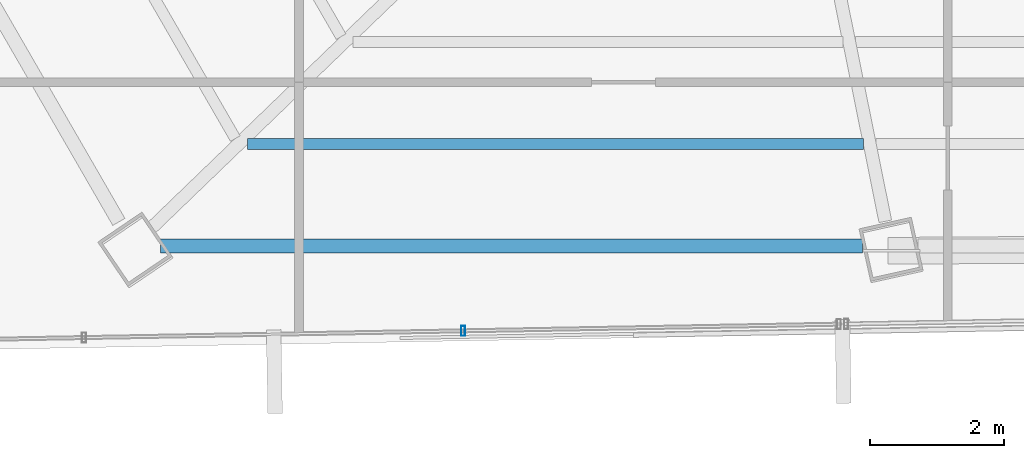
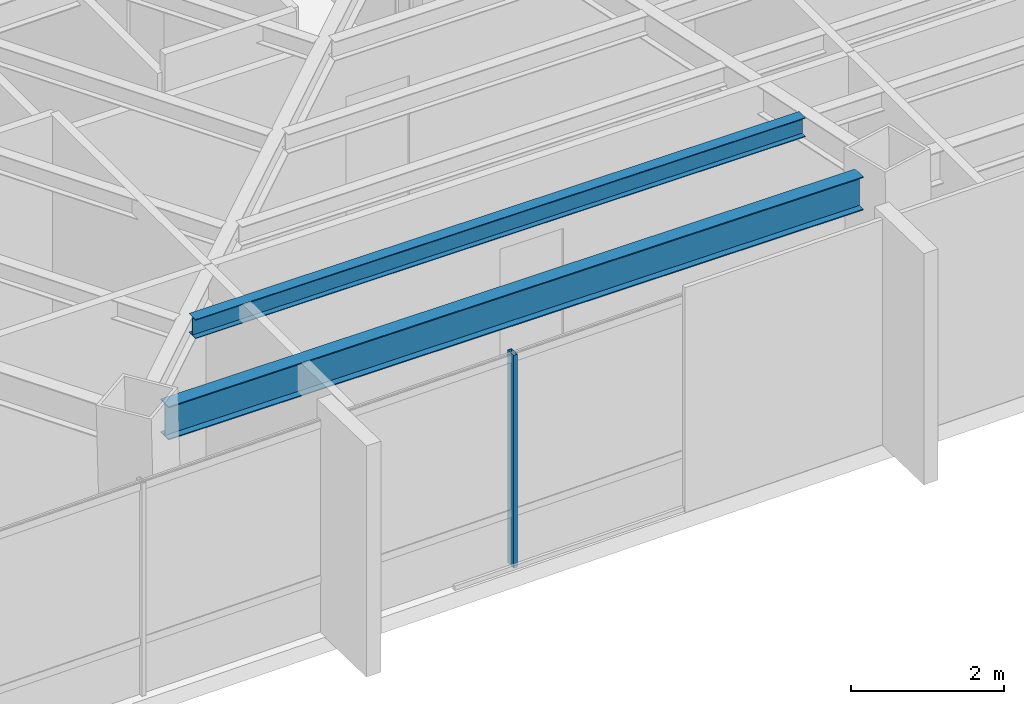
# One storey, part 6 of 44: 2 beams, 1 member, 1 element without a shape of its own.
"""IFC4 building model written with IfcOpenShell, lengths in metres."""

from ifc_helpers import new_model, si_unit, direction, frame, origin, origin_2d, place, context, subcontext, project, spatial, hollow_rectangle, i_section, extrude, source, transform, mapped, material, material_profile, profile_set, type_object, type_shapes, element, aggregate, save


model = new_model("IFC4")

# Units and contexts
model_context = context("Model", 3, precision=1e-05, world=origin(), true_north=direction((0.0, 1.0)))
body_context = subcontext(model_context, "Body", "Model", "MODEL_VIEW")
ifc_project = project(units=[si_unit("LENGTHUNIT", "METRE"), si_unit("AREAUNIT", "SQUARE_METRE"), si_unit("VOLUMEUNIT", "CUBIC_METRE"), si_unit("PLANEANGLEUNIT", "RADIAN"), si_unit("MASSUNIT", "GRAM", prefix="KILO")], contexts=[model_context])

# Site, building, storey
site_placement = place(None, origin())
site = spatial("IfcSite", under=ifc_project, at=site_placement, CompositionType="ELEMENT")
building_placement = place(site_placement, origin())
building = spatial("IfcBuilding", under=site, at=building_placement, Name="Caelisora Broadcast Tower", CompositionType="ELEMENT")
storey_placement = place(building_placement, frame((0.0, 0.0, 198.64990234375)))
storey = spatial("IfcBuildingStorey", under=building, at=storey_placement, Name="L52", CompositionType="ELEMENT", Elevation=198.64990234375)

# Beams
ifc_material_1 = material(Name="Steel Grade 350 (AS/NZS 3679.1)", Category="steel")
ifc_material_profile_1 = material_profile(ifc_material_1, i_section(OverallWidth=0.208984375, OverallDepth=0.532958984375, WebThickness=0.01025390625, FlangeThickness=0.015625, at=origin_2d()), Name="Steel Grade 350 (AS/NZS 3679.1)")
ifc_profile_set_1 = profile_set([ifc_material_profile_1], Name="Steel Grade 350 (AS/NZS 3679.1)")
beam_type_1 = type_object("IfcBeamType", Name="PG05", PredefinedType="BEAM", material=ifc_profile_set_1)
shared_shape_1 = source(origin(), body_context, "Body", "SweptSolid", [
    extrude(i_section(OverallWidth=0.208984375, OverallDepth=0.532958984375, WebThickness=0.01025390625, FlangeThickness=0.015625, at=origin_2d()), origin(), (0.0, 0.0, 1.0), 10.491455078125),
])
type_shapes(beam_type_1, [shared_shape_1])
beam_1_placement = place(storey_placement, frame((21.430908203125, 8.26025390625, 3.133544921875), z_axis=(1.0, 0.0, 0.0), x_axis=(0.0, 1.0, 0.0)))
element("IfcBeam", 1, at=beam_1_placement, inside=storey, type_object=beam_type_1, Name="L52 beam PG05", PredefinedType="BEAM", context=body_context, shape_type="MappedRepresentation", body=[
    mapped(shared_shape_1, transform((0.0, 0.0, 0.0), scale=1.0)),
])
ifc_material_profile_2 = material_profile(ifc_material_1, i_section(OverallWidth=0.166015625, OverallDepth=0.30712890625, WebThickness=0.006591796875, FlangeThickness=0.01171875, at=origin_2d()), Name="Steel Grade 350 (AS/NZS 3679.1)")
ifc_profile_set_2 = profile_set([ifc_material_profile_2], Name="Steel Grade 350 (AS/NZS 3679.1)")
beam_type_2 = type_object("IfcBeamType", Name="SB03", PredefinedType="JOIST", material=ifc_profile_set_2)
shared_shape_2 = source(origin(), body_context, "Body", "SweptSolid", [
    extrude(i_section(OverallWidth=0.166015625, OverallDepth=0.30712890625, WebThickness=0.006591796875, FlangeThickness=0.01171875, at=origin_2d()), origin(), (0.0, 0.0, 1.0), 9.207275390625),
])
type_shapes(beam_type_2, [shared_shape_2])
beam_2_placement = place(storey_placement, frame((22.730224609375, 9.78369140625, 3.24658203125), z_axis=(1.0, 0.0, 0.0), x_axis=(0.0, 1.0, 0.0)))
element("IfcBeam", 2, at=beam_2_placement, inside=storey, type_object=beam_type_2, Name="L52 beam SB03", PredefinedType="JOIST", context=body_context, shape_type="MappedRepresentation", body=[
    mapped(shared_shape_2, transform((0.0, 0.0, 0.0), scale=1.0)),
])

# Curtain wall, member
ifc_material_2 = material(Name="Unitised Aluminium and Low-E Glass Curtain Wall", Category="glass")
curtain_wall_type = type_object("IfcCurtainWallType", Name="CW-Z4", PredefinedType="NOTDEFINED", material=ifc_material_2)
curtain_wall_placement = place(storey_placement, origin())
curtain_wall = element("IfcCurtainWall", 3, at=curtain_wall_placement, inside=storey, type_object=curtain_wall_type, Name="L52 curtain wall CW-Z4", PredefinedType="NOTDEFINED")
ifc_material_3 = material(Name="Aluminium 6063-T6 Anodised Terracotta Bronze", Category="aluminium")
ifc_material_profile_3 = material_profile(ifc_material_3, hollow_rectangle(XDim=0.06005859375, YDim=0.14990234375, WallThickness=0.00341796875, at=origin_2d()), Name="Aluminium 6063-T6 Anodised Terracotta Bronze")
ifc_profile_set_3 = profile_set([ifc_material_profile_3], Name="Aluminium 6063-T6 Anodised Terracotta Bronze")
member_type = type_object("IfcMemberType", Name="CWM-03", PredefinedType="MULLION", material=ifc_profile_set_3)
shared_shape_3 = source(origin(), body_context, "Body", "SweptSolid", [
    extrude(hollow_rectangle(XDim=0.06005859375, YDim=0.14990234375, WallThickness=0.00341796875, at=origin_2d()), origin(), (0.0, 0.0, 1.0), 3.400146484375),
])
type_shapes(member_type, [shared_shape_3])
member_placement = place(storey_placement, frame((25.95263671875, 6.99169921875, 0.0), z_axis=(0.0, 0.0, 1.0), x_axis=(1.0, 0.0, 0.0)))
member = element("IfcMember", 4, at=member_placement, type_object=member_type, Name="L52-CW-B07 mullion #1", PredefinedType="MULLION", context=body_context, shape_type="MappedRepresentation", body=[
    mapped(shared_shape_3, transform((0.0, 0.0, 0.0), scale=1.0)),
])
aggregate(curtain_wall, [member])

save(model, "model.ifc")
